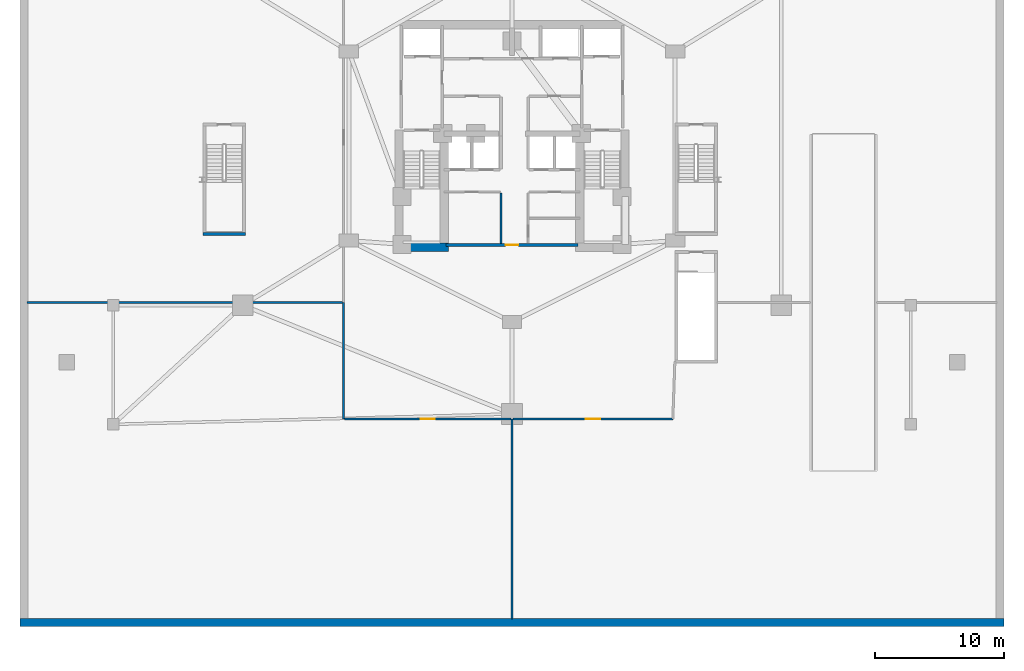
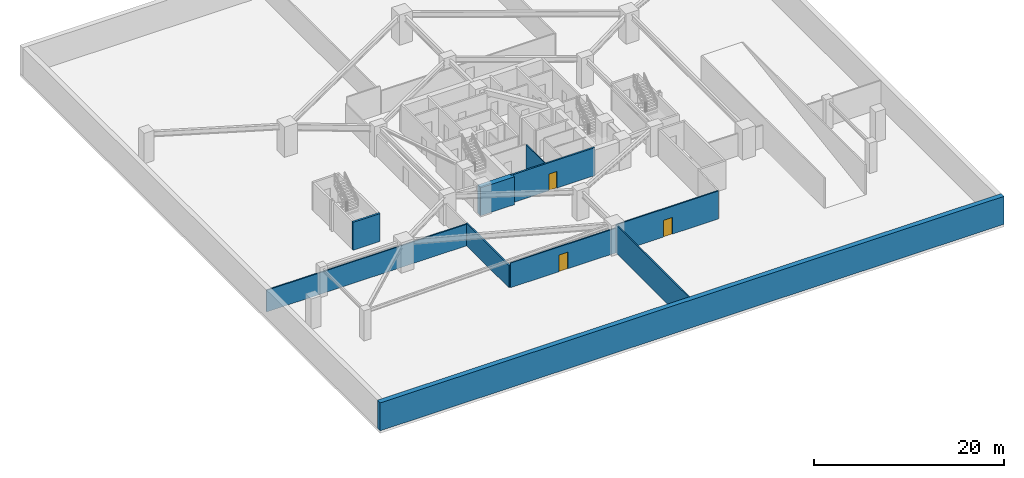
# One storey, part 5 of 10: 10 walls, 3 doors, 3 openings.
"""IFC4 building model written with IfcOpenShell, lengths in metres."""

from ifc_helpers import new_model, si_unit, direction, frame, frame_2d, origin, place, context, subcontext, project, spatial, rectangle, extrude, material, layer, layer_set, type_object, element, fill, save


model = new_model("IFC4")

# Units and contexts
model_context = context("Model", 3, precision=1e-05, world=origin(), true_north=direction((0.0, 1.0)))
body_context = subcontext(model_context, "Body", "Model", "MODEL_VIEW")
ifc_project = project(units=[si_unit("LENGTHUNIT", "METRE"), si_unit("AREAUNIT", "SQUARE_METRE"), si_unit("VOLUMEUNIT", "CUBIC_METRE"), si_unit("PLANEANGLEUNIT", "RADIAN"), si_unit("MASSUNIT", "GRAM", prefix="KILO")], contexts=[model_context])

# Site, building, storey
site_placement = place(None, origin())
site = spatial("IfcSite", under=ifc_project, at=site_placement, CompositionType="ELEMENT")
building_placement = place(site_placement, origin())
building = spatial("IfcBuilding", under=site, at=building_placement, Name="Miruveldt Soraemaru", CompositionType="ELEMENT")
storey_placement = place(building_placement, frame((0.0, 0.0, -3.89990234375)))
storey = spatial("IfcBuildingStorey", under=building, at=storey_placement, Name="B1", CompositionType="ELEMENT", Elevation=-3.89990234375)

# Walls
ifc_material_1 = material(Name="Concrete C50/60 (50 MPa)", Category="concrete")
ifc_layer_1 = layer(ifc_material_1, 0.419921875, Name="Concrete C50/60 (50 MPa)", Category="concrete")
ifc_layer_set_1 = layer_set([ifc_layer_1], Name="Concrete C50/60 (50 MPa)")
wall_type_1 = type_object("IfcWallType", Name="WALL-CW-420", PredefinedType="SHEAR", material=ifc_layer_set_1)
wall_1_placement = place(storey_placement, frame((20.1298828125, 36.300048828125, 0.0), z_axis=(0.0, 0.0, 1.0), x_axis=(1.0, 0.0, 0.0)))
element("IfcWall", 1, at=wall_1_placement, inside=storey, type_object=wall_type_1, Name="B1 Protected Exit Stair ST-3 Structural Shaft Wall S", PredefinedType="SHEAR", context=body_context, shape_type="SweptSolid", body=[
    extrude(rectangle(XDim=3.2900390625, YDim=0.239990234375, at=frame_2d((1.64501953125, 0.0))), origin(), (0.0, 0.0, 1.0), 3.599853515625),
])
ifc_material_2 = material(Name="Concrete C80/95 (80 MPa)", Category="concrete")
ifc_layer_2 = layer(ifc_material_2, 0.64990234375, Name="Concrete C80/95 (80 MPa)", Category="concrete")
ifc_layer_set_2 = layer_set([ifc_layer_2], Name="Concrete C80/95 (80 MPa)")
wall_type_2 = type_object("IfcWallType", Name="WALL-CW-650", PredefinedType="SHEAR", material=ifc_layer_set_2)
wall_2_placement = place(storey_placement, frame((34.949951171875, 35.27490234375, 0.0), z_axis=(0.0, 0.0, 1.0), x_axis=(1.0, 0.0, 0.0)))
element("IfcWall", 2, at=wall_2_placement, inside=storey, type_object=wall_type_2, Name="B1 Central Core Shear Wall S1", PredefinedType="SHEAR", context=body_context, shape_type="SweptSolid", body=[
    extrude(rectangle(XDim=4.150146484375, YDim=0.64990234375, at=frame_2d((2.0751953125, 0.0))), origin(), (0.0, 0.0, 1.0), 3.599853515625),
])
ifc_material_3 = material(Name="Gypsum plasterboard lining", Category="gypsum")
ifc_layer_3 = layer(ifc_material_3, 0.1201171875, Name="Gypsum plasterboard lining", Category="gypsum")
ifc_layer_set_3 = layer_set([ifc_layer_3], Name="Gypsum plasterboard lining")
wall_type_3 = type_object("IfcWallType", Name="WALL-INT-P120", PredefinedType="PARTITIONING", material=ifc_layer_set_3)
wall_3_placement = place(storey_placement, frame((43.14990234375, 35.580078125, 0.0), z_axis=(0.0, 0.0, 1.0), x_axis=(0.0, 1.0, 0.0)))
element("IfcWall", 3, at=wall_3_placement, inside=storey, type_object=wall_type_3, Name="B1 Core Compartment Wall SP-WS", PredefinedType="PARTITIONING", context=body_context, shape_type="SweptSolid", body=[
    extrude(rectangle(XDim=3.869873046875, YDim=0.1201171875, at=frame_2d((1.93505859375, 0.0))), origin(), (0.0, 0.0, 1.0), 3.599853515625),
])

# Wall, opening, door
ifc_material_4 = material(Name="Concrete C40/50 (40 MPa)", Category="concrete")
ifc_layer_4 = layer(ifc_material_4, 0.159912109375, Name="Concrete C40/50 (40 MPa)", Category="concrete")
ifc_layer_set_4 = layer_set([ifc_layer_4], Name="Concrete C40/50 (40 MPa)")
wall_type_4 = type_object("IfcWallType", Name="WALL-INT-RC160", PredefinedType="SOLIDWALL", material=ifc_layer_set_4)
wall_4_placement = place(storey_placement, frame((31.080078125, 22.0, 0.0), z_axis=(0.0, 0.0, 1.0), x_axis=(1.0, 0.0, 0.0)))
wall_4 = element("IfcWall", 4, at=wall_4_placement, inside=storey, type_object=wall_type_4, Name="B1 Partition Wall 2", PredefinedType="SOLIDWALL", context=body_context, shape_type="SweptSolid", body=[
    extrude(rectangle(XDim=12.83984375, YDim=0.159912109375, at=frame_2d((6.419921875, 0.0))), origin(), (0.0, 0.0, 1.0), 3.18798828125),
])
opening_1_placement = place(wall_4_placement, frame((5.8701171875, 0.0, 0.0)))
opening_1 = element("IfcOpeningElement", 5, at=opening_1_placement, cuts=wall_4, Name="Opening FD1A", PredefinedType="OPENING", context=body_context, shape_type="SweptSolid", body=[
    extrude(rectangle(XDim=1.10009765625, YDim=2.14990234375, at=frame_2d((0.550048828125, 1.074951171875))), frame((0.0, 0.08984375, 0.0), z_axis=(0.0, -1.0, 0.0), x_axis=(1.0, 0.0, 0.0)), (0.0, 0.0, 1.0), 0.179931640625),
])
ifc_material_5 = material(Name="Anodised aluminium EN AW-6063 T6", Category="aluminium")
door_type_1 = type_object("IfcDoorType", Name="DOOR-FD1-1100", OperationType="NOTDEFINED", PredefinedType="DOOR", material=ifc_material_5)
door_1_placement = place(opening_1_placement, origin())
door_1 = element("IfcDoor", 6, at=door_1_placement, inside=storey, type_object=door_type_1, Name="B1 Logistics Loading Dock Hall Fire Door", OperationType="SINGLE_SWING_LEFT", OverallHeight=2.14990234375, OverallWidth=1.10009765625, PredefinedType="DOOR", context=body_context, shape_type="SweptSolid", body=[
    extrude(rectangle(XDim=1.10009765625, YDim=2.14990234375, at=frame_2d((0.550048828125, 1.074951171875))), frame((0.0, 0.02490234375, 0.0), z_axis=(0.0, -1.0, 0.0), x_axis=(1.0, 0.0, 0.0)), (0.0, 0.0, 1.0), 0.050048828125),
])
fill(opening_1, door_1)

wall_5_placement = place(storey_placement, frame((44.080078125, 22.0, 0.0), z_axis=(0.0, 0.0, 1.0), x_axis=(1.0, 0.0, 0.0)))
wall_5 = element("IfcWall", 7, at=wall_5_placement, inside=storey, type_object=wall_type_4, Name="B1 Partition Wall 3", PredefinedType="SOLIDWALL", context=body_context, shape_type="SweptSolid", body=[
    extrude(rectangle(XDim=12.33984375, YDim=0.159912109375, at=frame_2d((6.169921875, 0.0))), origin(), (0.0, 0.0, 1.0), 3.599853515625),
])
opening_2_placement = place(wall_5_placement, frame((5.6201171875, 0.0, 0.0)))
opening_2 = element("IfcOpeningElement", 8, at=opening_2_placement, cuts=wall_5, Name="Opening FD1A", PredefinedType="OPENING", context=body_context, shape_type="SweptSolid", body=[
    extrude(rectangle(XDim=1.10009765625, YDim=2.14990234375, at=frame_2d((0.550048828125, 1.074951171875))), frame((0.0, 0.08984375, 0.0), z_axis=(0.0, -1.0, 0.0), x_axis=(1.0, 0.0, 0.0)), (0.0, 0.0, 1.0), 0.179931640625),
])
door_2_placement = place(opening_2_placement, origin())
door_2 = element("IfcDoor", 9, at=door_2_placement, inside=storey, type_object=door_type_1, Name="B1 Resident Bicycle Parking Hall Fire Door", OperationType="SINGLE_SWING_RIGHT", OverallHeight=2.14990234375, OverallWidth=1.10009765625, PredefinedType="DOOR", context=body_context, shape_type="SweptSolid", body=[
    extrude(rectangle(XDim=1.10009765625, YDim=2.14990234375, at=frame_2d((0.550048828125, 1.074951171875))), frame((0.0, 0.02490234375, 0.0), z_axis=(0.0, -1.0, 0.0), x_axis=(1.0, 0.0, 0.0)), (0.0, 0.0, 1.0), 0.050048828125),
])
fill(opening_2, door_2)

# Walls
wall_6_placement = place(storey_placement, frame((30.919921875, 31.0, 0.0), z_axis=(0.0, 0.0, 1.0), x_axis=(-1.0, 0.0, 0.0)))
element("IfcWall", 10, at=wall_6_placement, inside=storey, type_object=wall_type_4, Name="B1 Partition Wall 8", PredefinedType="SOLIDWALL", context=body_context, shape_type="SweptSolid", body=[
    extrude(rectangle(XDim=24.369873046875, YDim=0.159912109375, at=frame_2d((12.18505859375, 0.0))), origin(), (0.0, 0.0, 1.0), 2.787841796875),
])
wall_7_placement = place(storey_placement, frame((44.0, 6.550048828125, 0.0), z_axis=(0.0, 0.0, 1.0), x_axis=(0.0, 1.0, 0.0)))
element("IfcWall", 11, at=wall_7_placement, inside=storey, type_object=wall_type_4, Name="B1 Partition Wall 7", PredefinedType="SOLIDWALL", context=body_context, shape_type="SweptSolid", body=[
    extrude(rectangle(XDim=15.449951171875, YDim=0.159912109375, at=frame_2d((7.72509765625, 0.0))), origin(), (0.0, 0.0, 1.0), 3.599853515625),
])
wall_8_placement = place(storey_placement, frame((31.0, 31.0, 0.0), z_axis=(0.0, 0.0, 1.0), x_axis=(0.0, -1.0, 0.0)))
element("IfcWall", 12, at=wall_8_placement, inside=storey, type_object=wall_type_4, Name="B1 Partition Wall 1", PredefinedType="SOLIDWALL", context=body_context, shape_type="SweptSolid", body=[
    extrude(rectangle(XDim=9.0, YDim=0.159912109375, at=frame_2d((4.5, 0.0))), origin(), (0.0, 0.0, 1.0), 2.887939453125),
])

# Wall, opening, door
ifc_layer_5 = layer(ifc_material_4, 0.199951171875, Name="Concrete C40/50 (40 MPa)", Category="concrete")
ifc_layer_set_5 = layer_set([ifc_layer_5], Name="Concrete C40/50 (40 MPa)")
wall_type_5 = type_object("IfcWallType", Name="WALL-INT-RC200", PredefinedType="SOLIDWALL", material=ifc_layer_set_5)
wall_9_placement = place(storey_placement, frame((38.89990234375, 35.449951171875, 0.0), z_axis=(0.0, 0.0, 1.0), x_axis=(1.0, 0.0, 0.0)))
wall_9 = element("IfcWall", 13, at=wall_9_placement, inside=storey, type_object=wall_type_5, Name="B1 Core Compartment Wall CS-S", PredefinedType="SOLIDWALL", context=body_context, shape_type="SweptSolid", body=[
    extrude(rectangle(XDim=10.2001953125, YDim=0.199951171875, at=frame_2d((5.10009765625, 0.0))), origin(), (0.0, 0.0, 1.0), 3.599853515625),
])
opening_3_placement = place(wall_9_placement, frame((4.60009765625, 0.0, 0.0)))
opening_3 = element("IfcOpeningElement", 14, at=opening_3_placement, cuts=wall_9, Name="Opening FD1", PredefinedType="OPENING", context=body_context, shape_type="SweptSolid", body=[
    extrude(rectangle(XDim=1.0, YDim=2.14990234375, at=frame_2d((0.5, 1.074951171875))), frame((0.0, 0.10986328125, 0.0), z_axis=(0.0, -1.0, 0.0), x_axis=(1.0, 0.0, 0.0)), (0.0, 0.0, 1.0), 0.219970703125),
])
door_type_2 = type_object("IfcDoorType", Name="DOOR-FD1-1000", OperationType="NOTDEFINED", PredefinedType="DOOR", material=ifc_material_5)
door_3_placement = place(opening_3_placement, origin())
door_3 = element("IfcDoor", 15, at=door_3_placement, inside=storey, type_object=door_type_2, Name="B1 Core South Lobby Fire Door", OperationType="SINGLE_SWING_LEFT", OverallHeight=2.14990234375, OverallWidth=1.0, PredefinedType="DOOR", context=body_context, shape_type="SweptSolid", body=[
    extrude(rectangle(XDim=1.0, YDim=2.14990234375, at=frame_2d((0.5, 1.074951171875))), frame((0.0, 0.02490234375, 0.0), z_axis=(0.0, -1.0, 0.0), x_axis=(1.0, 0.0, 0.0)), (0.0, 0.0, 1.0), 0.050048828125),
])
fill(opening_3, door_3)

# Wall
ifc_layer_6 = layer(ifc_material_1, 0.60009765625, Name="Concrete C50/60 (50 MPa)", Category="concrete")
ifc_layer_set_6 = layer_set([ifc_layer_6], Name="Concrete C50/60 (50 MPa)")
wall_type_6 = type_object("IfcWallType", Name="WALL-RET-600", PredefinedType="SOLIDWALL", material=ifc_layer_set_6)
wall_10_placement = place(storey_placement, frame((6.0, 6.300048828125, 0.0), z_axis=(0.0, 0.0, 1.0), x_axis=(1.0, 0.0, 0.0)))
element("IfcWall", 16, at=wall_10_placement, inside=storey, type_object=wall_type_6, Name="B1 Perimeter Slurry Retaining Wall S", PredefinedType="SOLIDWALL", context=body_context, shape_type="SweptSolid", body=[
    extrude(rectangle(XDim=76.0, YDim=0.60009765625, at=frame_2d((38.0, 0.0))), origin(), (0.0, 0.0, 1.0), 3.599853515625),
])

save(model, "model.ifc")
